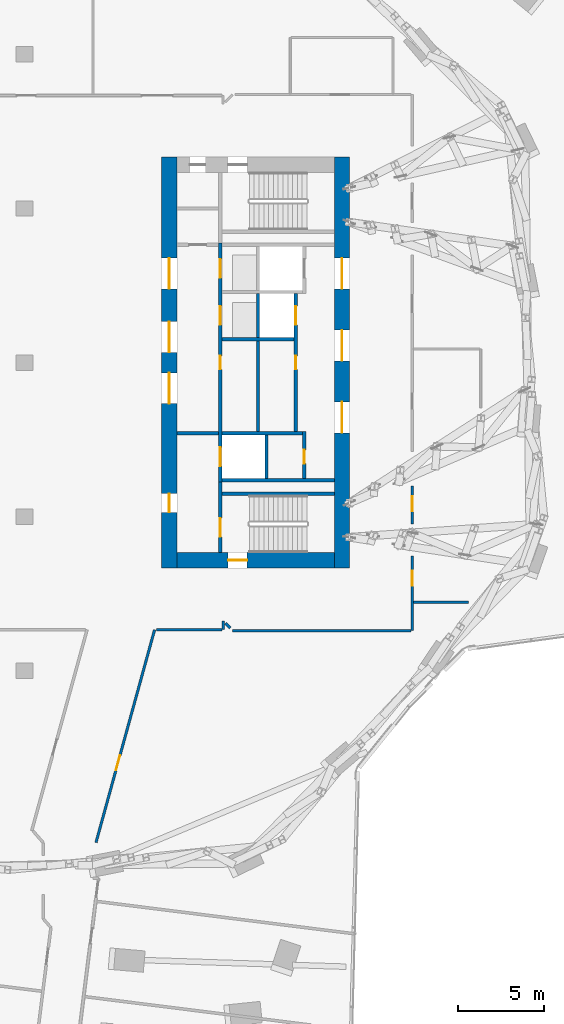
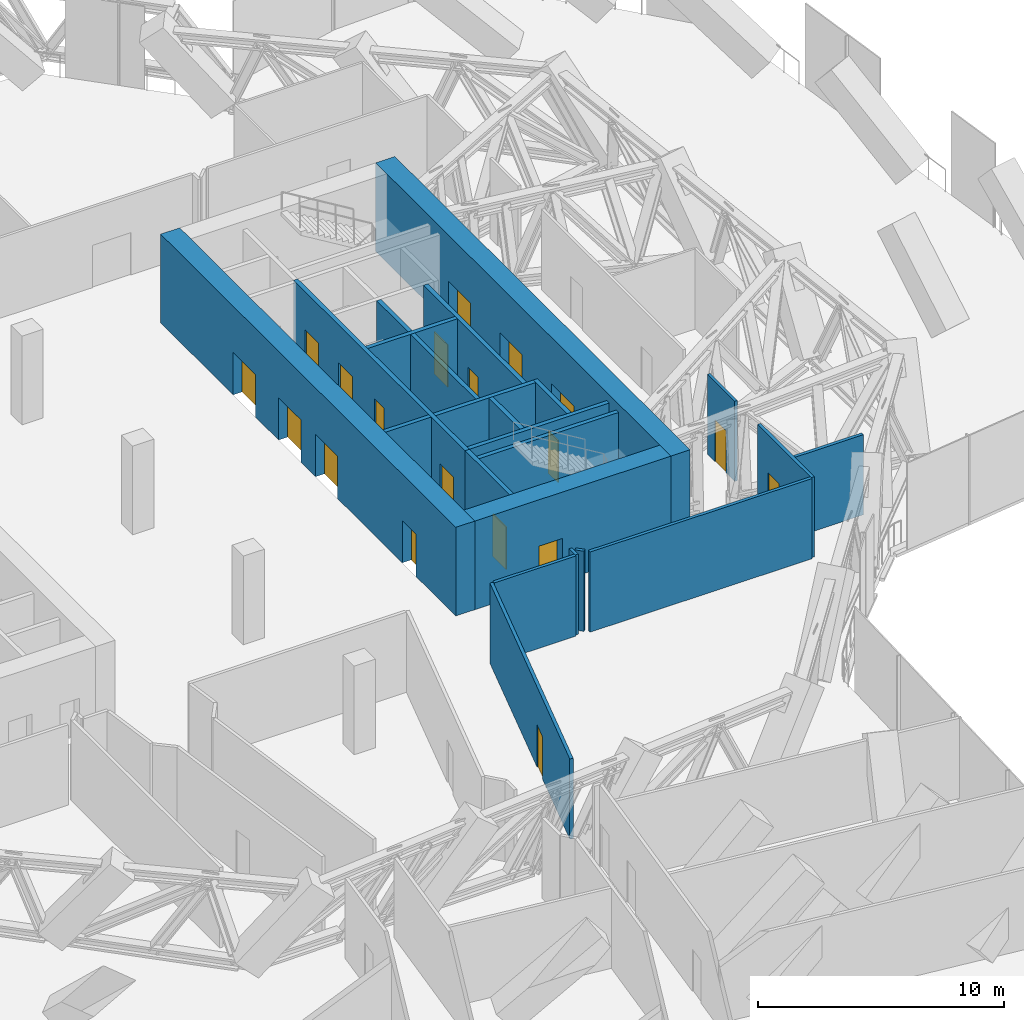
# One storey, part 20 of 27: 23 walls, 19 doors, 19 openings.
"""IFC4 building model written with IfcOpenShell, lengths in metres."""

from ifc_helpers import new_model, si_unit, direction, frame, frame_2d, origin, place, context, subcontext, project, spatial, rectangle, extrude, material, layer, layer_set, type_object, element, fill, save


model = new_model("IFC4")

# Units and contexts
model_context = context("Model", 3, precision=1e-05, world=origin(), true_north=direction((0.0, 1.0)))
body_context = subcontext(model_context, "Body", "Model", "MODEL_VIEW")
ifc_project = project(units=[si_unit("LENGTHUNIT", "METRE"), si_unit("AREAUNIT", "SQUARE_METRE"), si_unit("VOLUMEUNIT", "CUBIC_METRE"), si_unit("PLANEANGLEUNIT", "RADIAN"), si_unit("MASSUNIT", "GRAM", prefix="KILO")], contexts=[model_context])

# Site, building, storey
site_placement = place(None, origin())
site = spatial("IfcSite", under=ifc_project, at=site_placement, CompositionType="ELEMENT")
building_placement = place(site_placement, origin())
building = spatial("IfcBuilding", under=site, at=building_placement, Name="Orlundy Tower", CompositionType="ELEMENT")
storey_placement = place(building_placement, frame((0.0, 0.0, 206.10009765625)))
storey = spatial("IfcBuildingStorey", under=building, at=storey_placement, Name="L54", CompositionType="ELEMENT", Elevation=206.10009765625)

# Wall, opening, door
ifc_material_1 = material(Name="Concrete C70/85", Category="concrete")
ifc_layer_1 = layer(ifc_material_1, 0.89990234375)
ifc_layer_set_1 = layer_set([ifc_layer_1], Name="CORE WALL 900 C70/85")
wall_type_1 = type_object("IfcWallType", Name="CORE WALL 900 C70/85", PredefinedType="SHEAR", material=ifc_layer_set_1)
wall_1_placement = place(storey_placement, frame((8.89990234375, -11.550048828125, 0.0), z_axis=(0.0, 0.0, 1.0), x_axis=(1.0, 0.0, 0.0)))
wall_1 = element("IfcWall", 1, at=wall_1_placement, inside=storey, type_object=wall_type_1, Name="Core wall E-S L54", PredefinedType="SHEAR", context=body_context, shape_type="SweptSolid", body=[
    extrude(rectangle(XDim=9.2001953125, YDim=0.89990234375, at=frame_2d((4.60009765625, 0.0))), origin(), (0.0, 0.0, 1.0), 4.39990234375),
])
opening_1_placement = place(wall_1_placement, frame((3.0, 0.0, 0.0)))
opening_1 = element("IfcOpeningElement", 2, at=opening_1_placement, cuts=wall_1, Name="Opening 41065", PredefinedType="OPENING", context=body_context, shape_type="SweptSolid", body=[
    extrude(rectangle(XDim=1.10009765625, YDim=2.10009765625, at=frame_2d((0.550048828125, 1.050048828125))), frame((0.0, 0.4599609375, 0.0), z_axis=(0.0, -1.0, 0.0), x_axis=(1.0, 0.0, 0.0)), (0.0, 0.0, 1.0), 0.919921875),
])
ifc_material_2 = material(Name="Steel door set", Category="steel")
door_type_1 = type_object("IfcDoorType", Name="Stair Door 1100x2100", OperationType="SINGLE_SWING_LEFT", PredefinedType="DOOR", material=ifc_material_2)
door_1_placement = place(opening_1_placement, origin())
door_1 = element("IfcDoor", 3, at=door_1_placement, inside=storey, type_object=door_type_1, Name="Stair door 41065", OperationType="SINGLE_SWING_LEFT", OverallHeight=2.10009765625, OverallWidth=1.10009765625, PredefinedType="DOOR", context=body_context, shape_type="SweptSolid", body=[
    extrude(rectangle(XDim=1.10009765625, YDim=2.10009765625, at=frame_2d((0.550048828125, 1.050048828125))), frame((0.0, 0.02490234375, 0.0), z_axis=(0.0, -1.0, 0.0), x_axis=(1.0, 0.0, 0.0)), (0.0, 0.0, 1.0), 0.050048828125),
])
fill(opening_1, door_1)

# Wall, openings, doors
wall_2_placement = place(storey_placement, frame((8.449951171875, -12.0, 0.0), z_axis=(0.0, 0.0, 1.0), x_axis=(0.0, 1.0, 0.0)))
wall_2 = element("IfcWall", 4, at=wall_2_placement, inside=storey, type_object=wall_type_1, Name="Core wall E-W L54", PredefinedType="SHEAR", context=body_context, shape_type="SweptSolid", body=[
    extrude(rectangle(XDim=24.0, YDim=0.89990234375, at=frame_2d((12.0, 0.0))), origin(), (0.0, 0.0, 1.0), 4.39990234375),
])
opening_2_placement = place(wall_2_placement, frame((12.60009765625, 0.0, 0.0)))
opening_2 = element("IfcOpeningElement", 5, at=opening_2_placement, cuts=wall_2, Name="Opening 41058", PredefinedType="OPENING", context=body_context, shape_type="SweptSolid", body=[
    extrude(rectangle(XDim=1.800048828125, YDim=2.10009765625, at=frame_2d((0.89990234375, 1.050048828125))), frame((0.0, 0.4599609375, 0.0), z_axis=(0.0, -1.0, 0.0), x_axis=(1.0, 0.0, 0.0)), (0.0, 0.0, 1.0), 0.919921875),
])
opening_3_placement = place(wall_2_placement, frame((16.300048828125, 0.0, 0.0)))
opening_3 = element("IfcOpeningElement", 6, at=opening_3_placement, cuts=wall_2, Name="Opening 41062", PredefinedType="OPENING", context=body_context, shape_type="SweptSolid", body=[
    extrude(rectangle(XDim=1.800048828125, YDim=2.10009765625, at=frame_2d((0.89990234375, 1.050048828125))), frame((0.0, 0.4599609375, 0.0), z_axis=(0.0, -1.0, 0.0), x_axis=(1.0, 0.0, 0.0)), (0.0, 0.0, 1.0), 0.919921875),
])
opening_4_placement = place(wall_2_placement, frame((9.60009765625, 0.0, 0.0)))
opening_4 = element("IfcOpeningElement", 7, at=opening_4_placement, cuts=wall_2, Name="Opening 41063", PredefinedType="OPENING", context=body_context, shape_type="SweptSolid", body=[
    extrude(rectangle(XDim=1.800048828125, YDim=2.10009765625, at=frame_2d((0.89990234375, 1.050048828125))), frame((0.0, 0.4599609375, 0.0), z_axis=(0.0, -1.0, 0.0), x_axis=(1.0, 0.0, 0.0)), (0.0, 0.0, 1.0), 0.919921875),
])
opening_5_placement = place(wall_2_placement, frame((3.25, 0.0, 0.0)))
opening_5 = element("IfcOpeningElement", 8, at=opening_5_placement, cuts=wall_2, Name="Opening 41064", PredefinedType="OPENING", context=body_context, shape_type="SweptSolid", body=[
    extrude(rectangle(XDim=1.10009765625, YDim=2.10009765625, at=frame_2d((0.550048828125, 1.050048828125))), frame((0.0, 0.4599609375, 0.0), z_axis=(0.0, -1.0, 0.0), x_axis=(1.0, 0.0, 0.0)), (0.0, 0.0, 1.0), 0.919921875),
])
ifc_material_3 = material(Name="Steel door set", Category="steel")
door_type_2 = type_object("IfcDoorType", Name="Fire-fighting Lobby Door 1100x2100", OperationType="SINGLE_SWING_LEFT", PredefinedType="DOOR", material=ifc_material_3)
door_2_placement = place(opening_5_placement, origin())
door_2 = element("IfcDoor", 9, at=door_2_placement, inside=storey, type_object=door_type_2, Name="Fire-fighting lobby door 41064", OperationType="SINGLE_SWING_LEFT", OverallHeight=2.10009765625, OverallWidth=1.10009765625, PredefinedType="DOOR", context=body_context, shape_type="SweptSolid", body=[
    extrude(rectangle(XDim=1.10009765625, YDim=2.10009765625, at=frame_2d((0.550048828125, 1.050048828125))), frame((0.0, 0.02490234375, 0.0), z_axis=(0.0, -1.0, 0.0), x_axis=(1.0, 0.0, 0.0)), (0.0, 0.0, 1.0), 0.050048828125),
])
fill(opening_5, door_2)
ifc_material_4 = material(Name="Timber door set", Category="wood")
door_type_3 = type_object("IfcDoorType", Name="Lobby Door 1800x2100", OperationType="DOUBLE_DOOR_DOUBLE_SWING", PredefinedType="DOOR", material=ifc_material_4)
door_3_placement = place(opening_2_placement, origin())
door_3 = element("IfcDoor", 10, at=door_3_placement, inside=storey, type_object=door_type_3, Name="Lift lobby door 41058", OperationType="SINGLE_SWING_RIGHT", OverallHeight=2.10009765625, OverallWidth=1.800048828125, PredefinedType="DOOR", context=body_context, shape_type="SweptSolid", body=[
    extrude(rectangle(XDim=1.800048828125, YDim=2.10009765625, at=frame_2d((0.89990234375, 1.050048828125))), frame((0.0, 0.02490234375, 0.0), z_axis=(0.0, -1.0, 0.0), x_axis=(1.0, 0.0, 0.0)), (0.0, 0.0, 1.0), 0.050048828125),
])
fill(opening_2, door_3)
door_4_placement = place(opening_3_placement, origin())
door_4 = element("IfcDoor", 11, at=door_4_placement, inside=storey, type_object=door_type_3, Name="Lift lobby door 41062", OperationType="SINGLE_SWING_RIGHT", OverallHeight=2.10009765625, OverallWidth=1.800048828125, PredefinedType="DOOR", context=body_context, shape_type="SweptSolid", body=[
    extrude(rectangle(XDim=1.800048828125, YDim=2.10009765625, at=frame_2d((0.89990234375, 1.050048828125))), frame((0.0, 0.02490234375, 0.0), z_axis=(0.0, -1.0, 0.0), x_axis=(1.0, 0.0, 0.0)), (0.0, 0.0, 1.0), 0.050048828125),
])
fill(opening_3, door_4)
door_5_placement = place(opening_4_placement, origin())
door_5 = element("IfcDoor", 12, at=door_5_placement, inside=storey, type_object=door_type_3, Name="Lift lobby door 41063", OperationType="SINGLE_SWING_LEFT", OverallHeight=2.10009765625, OverallWidth=1.800048828125, PredefinedType="DOOR", context=body_context, shape_type="SweptSolid", body=[
    extrude(rectangle(XDim=1.800048828125, YDim=2.10009765625, at=frame_2d((0.89990234375, 1.050048828125))), frame((0.0, 0.02490234375, 0.0), z_axis=(0.0, -1.0, 0.0), x_axis=(1.0, 0.0, 0.0)), (0.0, 0.0, 1.0), 0.050048828125),
])
fill(opening_4, door_5)

wall_3_placement = place(storey_placement, frame((18.550048828125, -12.0, 0.0), z_axis=(0.0, 0.0, 1.0), x_axis=(0.0, 1.0, 0.0)))
wall_3 = element("IfcWall", 13, at=wall_3_placement, inside=storey, type_object=wall_type_1, Name="Core wall E-E L54", PredefinedType="SHEAR", context=body_context, shape_type="SweptSolid", body=[
    extrude(rectangle(XDim=24.0, YDim=0.89990234375, at=frame_2d((12.0, 0.0))), origin(), (0.0, 0.0, 1.0), 4.39990234375),
])
opening_6_placement = place(wall_3_placement, frame((16.300048828125, 0.0, 0.0)))
opening_6 = element("IfcOpeningElement", 14, at=opening_6_placement, cuts=wall_3, Name="Opening 41059", PredefinedType="OPENING", context=body_context, shape_type="SweptSolid", body=[
    extrude(rectangle(XDim=1.800048828125, YDim=2.10009765625, at=frame_2d((0.89990234375, 1.050048828125))), frame((0.0, 0.4599609375, 0.0), z_axis=(0.0, -1.0, 0.0), x_axis=(1.0, 0.0, 0.0)), (0.0, 0.0, 1.0), 0.919921875),
])
opening_7_placement = place(wall_3_placement, frame((12.10009765625, 0.0, 0.0)))
opening_7 = element("IfcOpeningElement", 15, at=opening_7_placement, cuts=wall_3, Name="Opening 41060", PredefinedType="OPENING", context=body_context, shape_type="SweptSolid", body=[
    extrude(rectangle(XDim=1.800048828125, YDim=2.10009765625, at=frame_2d((0.89990234375, 1.050048828125))), frame((0.0, 0.4599609375, 0.0), z_axis=(0.0, -1.0, 0.0), x_axis=(1.0, 0.0, 0.0)), (0.0, 0.0, 1.0), 0.919921875),
])
opening_8_placement = place(wall_3_placement, frame((7.89990234375, 0.0, 0.0)))
opening_8 = element("IfcOpeningElement", 16, at=opening_8_placement, cuts=wall_3, Name="Opening 41061", PredefinedType="OPENING", context=body_context, shape_type="SweptSolid", body=[
    extrude(rectangle(XDim=1.800048828125, YDim=2.10009765625, at=frame_2d((0.89990234375, 1.050048828125))), frame((0.0, 0.4599609375, 0.0), z_axis=(0.0, -1.0, 0.0), x_axis=(1.0, 0.0, 0.0)), (0.0, 0.0, 1.0), 0.919921875),
])
door_6_placement = place(opening_6_placement, origin())
door_6 = element("IfcDoor", 17, at=door_6_placement, inside=storey, type_object=door_type_3, Name="Lift lobby door 41059", OperationType="SINGLE_SWING_RIGHT", OverallHeight=2.10009765625, OverallWidth=1.800048828125, PredefinedType="DOOR", context=body_context, shape_type="SweptSolid", body=[
    extrude(rectangle(XDim=1.800048828125, YDim=2.10009765625, at=frame_2d((0.89990234375, 1.050048828125))), frame((0.0, 0.02490234375, 0.0), z_axis=(0.0, -1.0, 0.0), x_axis=(1.0, 0.0, 0.0)), (0.0, 0.0, 1.0), 0.050048828125),
])
fill(opening_6, door_6)
door_7_placement = place(opening_7_placement, origin())
door_7 = element("IfcDoor", 18, at=door_7_placement, inside=storey, type_object=door_type_3, Name="Lift lobby door 41060", OperationType="SINGLE_SWING_RIGHT", OverallHeight=2.10009765625, OverallWidth=1.800048828125, PredefinedType="DOOR", context=body_context, shape_type="SweptSolid", body=[
    extrude(rectangle(XDim=1.800048828125, YDim=2.10009765625, at=frame_2d((0.89990234375, 1.050048828125))), frame((0.0, 0.02490234375, 0.0), z_axis=(0.0, -1.0, 0.0), x_axis=(1.0, 0.0, 0.0)), (0.0, 0.0, 1.0), 0.050048828125),
])
fill(opening_7, door_7)
door_8_placement = place(opening_8_placement, origin())
door_8 = element("IfcDoor", 19, at=door_8_placement, inside=storey, type_object=door_type_3, Name="Lift lobby door 41061", OperationType="SINGLE_SWING_LEFT", OverallHeight=2.10009765625, OverallWidth=1.800048828125, PredefinedType="DOOR", context=body_context, shape_type="SweptSolid", body=[
    extrude(rectangle(XDim=1.800048828125, YDim=2.10009765625, at=frame_2d((0.89990234375, 1.050048828125))), frame((0.0, 0.02490234375, 0.0), z_axis=(0.0, -1.0, 0.0), x_axis=(1.0, 0.0, 0.0)), (0.0, 0.0, 1.0), 0.050048828125),
])
fill(opening_8, door_8)

# Wall, opening, door
ifc_material_5 = material(Name="Gypsum board partition, double layer")
ifc_layer_2 = layer(ifc_material_5, 0.125)
ifc_layer_set_2 = layer_set([ifc_layer_2], Name="Floor partition 125")
wall_type_2 = type_object("IfcWallType", Name="Floor partition 125", PredefinedType="PARTITIONING", material=ifc_layer_set_2)
wall_4_placement = place(storey_placement, frame((22.65087890625, -7.194091796875, 0.0), z_axis=(0.0, 0.0, 1.0), x_axis=(0.0, -1.0, 0.0)))
wall_4 = element("IfcWall", 20, at=wall_4_placement, inside=storey, type_object=wall_type_2, Name="wall-int-L54-051", PredefinedType="PARTITIONING", context=body_context, shape_type="SweptSolid", body=[
    extrude(rectangle(XDim=2.219970703125, YDim=0.125, at=frame_2d((1.10986328125, 0.0))), origin(), (0.0, 0.0, 1.0), 3.97998046875),
])
opening_9_placement = place(wall_4_placement, frame((0.60009765625, 0.0, 0.0)))
opening_9 = element("IfcOpeningElement", 21, at=opening_9_placement, cuts=wall_4, Name="Opening 41119", PredefinedType="OPENING", context=body_context, shape_type="SweptSolid", body=[
    extrude(rectangle(XDim=0.89990234375, YDim=2.10009765625, at=frame_2d((0.449951171875, 1.050048828125))), frame((0.0, 0.072509765625, 0.0), z_axis=(0.0, -1.0, 0.0), x_axis=(1.0, 0.0, 0.0)), (0.0, 0.0, 1.0), 0.14501953125),
])
ifc_material_6 = material(Name="Timber door leaf", Category="wood")
door_type_4 = type_object("IfcDoorType", Name="Floor door single 900 FD30S", OperationType="NOTDEFINED", PredefinedType="DOOR", material=ifc_material_6)
door_9_placement = place(opening_9_placement, origin())
door_9 = element("IfcDoor", 22, at=door_9_placement, inside=storey, type_object=door_type_4, Name="Door 41119", OperationType="SINGLE_SWING_LEFT", OverallHeight=2.10009765625, OverallWidth=0.89990234375, PredefinedType="DOOR", context=body_context, shape_type="SweptSolid", body=[
    extrude(rectangle(XDim=0.89990234375, YDim=2.10009765625, at=frame_2d((0.449951171875, 1.050048828125))), frame((0.0, 0.02490234375, 0.0), z_axis=(0.0, -1.0, 0.0), x_axis=(1.0, 0.0, 0.0)), (0.0, 0.0, 1.0), 0.050048828125),
])
fill(opening_9, door_9)

# Walls
ifc_material_7 = material(Name="Blockwork shaft wall", Category="masonry")
ifc_layer_3 = layer(ifc_material_7, 0.14990234375)
ifc_layer_set_3 = layer_set([ifc_layer_3], Name="Floor shaft wall 150")
wall_type_3 = type_object("IfcWallType", Name="Floor shaft wall 150", PredefinedType="PARTITIONING", material=ifc_layer_set_3)
wall_5_placement = place(storey_placement, frame((11.75, -15.22802734375, 0.0), z_axis=(0.0, 0.0, 1.0), x_axis=(0.707106781187, -0.707106781187, 0.0)))
element("IfcWall", 23, at=wall_5_placement, inside=storey, type_object=wall_type_3, Name="wall-int-L54-006", PredefinedType="PARTITIONING", context=body_context, shape_type="SweptSolid", body=[
    extrude(rectangle(XDim=0.388671875, YDim=0.14990234375, at=frame_2d((0.1943359375, 0.0))), origin(), (0.0, 0.0, 1.0), 3.97998046875),
])
wall_6_placement = place(storey_placement, frame((12.159912109375, -15.65087890625, 0.0), z_axis=(0.0, 0.0, 1.0), x_axis=(1.0, 0.0, 0.0)))
element("IfcWall", 24, at=wall_6_placement, inside=storey, type_object=wall_type_3, Name="wall-int-L54-024", PredefinedType="PARTITIONING", context=body_context, shape_type="SweptSolid", body=[
    extrude(rectangle(XDim=10.4150390625, YDim=0.14990234375, at=frame_2d((5.20751953125, 0.0))), origin(), (0.0, 0.0, 1.0), 3.97998046875),
])
wall_7_placement = place(storey_placement, frame((7.700927734375, -15.60009765625, 0.0), z_axis=(0.0, 0.0, 1.0), x_axis=(1.0, 0.0, 0.0)))
element("IfcWall", 25, at=wall_7_placement, inside=storey, type_object=wall_type_3, Name="wall-int-L54-027", PredefinedType="PARTITIONING", context=body_context, shape_type="SweptSolid", body=[
    extrude(rectangle(XDim=3.824951171875, YDim=0.14990234375, at=frame_2d((1.91259765625, 0.0))), origin(), (0.0, 0.0, 1.0), 3.97998046875),
])
wall_8_placement = place(storey_placement, frame((22.72607421875, -14.0, 0.0), z_axis=(0.0, 0.0, 1.0), x_axis=(1.0, 0.0, 0.0)))
element("IfcWall", 26, at=wall_8_placement, inside=storey, type_object=wall_type_3, Name="wall-int-L54-028", PredefinedType="PARTITIONING", context=body_context, shape_type="SweptSolid", body=[
    extrude(rectangle(XDim=3.2119140625, YDim=0.14990234375, at=frame_2d((1.60595703125, 0.0))), origin(), (0.0, 0.0, 1.0), 3.97998046875),
])

# Wall, opening, door
wall_9_placement = place(storey_placement, frame((7.60302734375, -15.60302734375, 0.0), z_axis=(0.0, 0.0, 1.0), x_axis=(-0.265604225534, -0.964082151779, 0.0)))
wall_9 = element("IfcWall", 27, at=wall_9_placement, inside=storey, type_object=wall_type_3, Name="wall-int-L54-038", PredefinedType="PARTITIONING", context=body_context, shape_type="SweptSolid", body=[
    extrude(rectangle(XDim=12.887939453125, YDim=0.14990234375, at=frame_2d((6.44384765625, 0.0))), origin(), (0.0, 0.0, 1.0), 3.97998046875),
])
opening_10_placement = place(wall_9_placement, frame((7.606689453125, 0.0, 0.0)))
opening_10 = element("IfcOpeningElement", 28, at=opening_10_placement, cuts=wall_9, Name="Opening 41117", PredefinedType="OPENING", context=body_context, shape_type="SweptSolid", body=[
    extrude(rectangle(XDim=0.89990234375, YDim=2.10009765625, at=frame_2d((0.449951171875, 1.050048828125))), frame((0.0, 0.0849609375, 0.0), z_axis=(0.0, -1.0, 0.0), x_axis=(1.0, 0.0, 0.0)), (0.0, 0.0, 1.0), 0.169921875),
])
ifc_material_8 = material(Name="Timber door leaf", Category="wood")
door_type_5 = type_object("IfcDoorType", Name="Floor door single 900 FD60", OperationType="NOTDEFINED", PredefinedType="DOOR", material=ifc_material_8)
door_10_placement = place(opening_10_placement, origin())
door_10 = element("IfcDoor", 29, at=door_10_placement, inside=storey, type_object=door_type_5, Name="Door 41117", OperationType="SINGLE_SWING_RIGHT", OverallHeight=2.10009765625, OverallWidth=0.89990234375, PredefinedType="DOOR", context=body_context, shape_type="SweptSolid", body=[
    extrude(rectangle(XDim=0.89990234375, YDim=2.10009765625, at=frame_2d((0.449951171875, 1.050048828125))), frame((0.0, 0.02490234375, 0.0), z_axis=(0.0, -1.0, 0.0), x_axis=(1.0, 0.0, 0.0)), (0.0, 0.0, 1.0), 0.050048828125),
])
fill(opening_10, door_10)

wall_10_placement = place(storey_placement, frame((22.65087890625, -11.2939453125, 0.0), z_axis=(0.0, 0.0, 1.0), x_axis=(0.0, -1.0, 0.0)))
wall_10 = element("IfcWall", 30, at=wall_10_placement, inside=storey, type_object=wall_type_3, Name="wall-int-L54-050", PredefinedType="PARTITIONING", context=body_context, shape_type="SweptSolid", body=[
    extrude(rectangle(XDim=4.35595703125, YDim=0.14990234375, at=frame_2d((2.177978515625, 0.0))), origin(), (0.0, 0.0, 1.0), 3.97998046875),
])
opening_11_placement = place(wall_10_placement, frame((0.85009765625, 0.0, 0.0)))
opening_11 = element("IfcOpeningElement", 31, at=opening_11_placement, cuts=wall_10, Name="Opening 41118", PredefinedType="OPENING", context=body_context, shape_type="SweptSolid", body=[
    extrude(rectangle(XDim=0.89990234375, YDim=2.10009765625, at=frame_2d((0.449951171875, 1.050048828125))), frame((0.0, 0.0849609375, 0.0), z_axis=(0.0, -1.0, 0.0), x_axis=(1.0, 0.0, 0.0)), (0.0, 0.0, 1.0), 0.169921875),
])
door_11_placement = place(opening_11_placement, origin())
door_11 = element("IfcDoor", 32, at=door_11_placement, inside=storey, type_object=door_type_5, Name="Door 41118", OperationType="SINGLE_SWING_LEFT", OverallHeight=2.10009765625, OverallWidth=0.89990234375, PredefinedType="DOOR", context=body_context, shape_type="SweptSolid", body=[
    extrude(rectangle(XDim=0.89990234375, YDim=2.10009765625, at=frame_2d((0.449951171875, 1.050048828125))), frame((0.0, 0.02490234375, 0.0), z_axis=(0.0, -1.0, 0.0), x_axis=(1.0, 0.0, 0.0)), (0.0, 0.0, 1.0), 0.050048828125),
])
fill(opening_11, door_11)

# Wall
wall_11_placement = place(storey_placement, frame((11.60107421875, -15.60009765625, 0.0), z_axis=(0.0, 0.0, 1.0), x_axis=(0.0, 1.0, 0.0)))
element("IfcWall", 33, at=wall_11_placement, inside=storey, type_object=wall_type_3, Name="wall-int-L54-057", PredefinedType="PARTITIONING", context=body_context, shape_type="SweptSolid", body=[
    extrude(rectangle(XDim=0.508056640625, YDim=0.14990234375, at=frame_2d((0.25390625, 0.0))), origin(), (0.0, 0.0, 1.0), 3.97998046875),
])

# Wall, opening, door
ifc_material_9 = material(Name="Concrete C40/50", Category="concrete")
ifc_layer_4 = layer(ifc_material_9, 0.199951171875)
ifc_layer_set_4 = layer_set([ifc_layer_4], Name="Load-bearing Shaft Wall 200")
wall_type_4 = type_object("IfcWallType", Name="Load-bearing Shaft Wall 200", PredefinedType="SOLIDWALL", material=ifc_layer_set_4)
wall_12_placement = place(storey_placement, frame((11.43994140625, -6.97509765625, 0.0), z_axis=(0.0, 0.0, 1.0), x_axis=(0.0, -1.0, 0.0)))
wall_12 = element("IfcWall", 34, at=wall_12_placement, inside=storey, type_object=wall_type_4, Name="Shaft wall E41-stair-end-n", PredefinedType="SOLIDWALL", context=body_context, shape_type="SweptSolid", body=[
    extrude(rectangle(XDim=4.125, YDim=0.199951171875, at=frame_2d((2.0625, 0.0))), origin(), (0.0, 0.0, 1.0), 3.989990234375),
])
opening_12_placement = place(wall_12_placement, frame((2.10009765625, 0.0, 0.0)))
opening_12 = element("IfcOpeningElement", 35, at=opening_12_placement, cuts=wall_12, Name="Opening 41067", PredefinedType="OPENING", context=body_context, shape_type="SweptSolid", body=[
    extrude(rectangle(XDim=1.10009765625, YDim=2.10009765625, at=frame_2d((0.550048828125, 1.050048828125))), frame((0.0, 0.110107421875, 0.0), z_axis=(0.0, -1.0, 0.0), x_axis=(1.0, 0.0, 0.0)), (0.0, 0.0, 1.0), 0.22021484375),
])
door_12_placement = place(opening_12_placement, origin())
door_12 = element("IfcDoor", 36, at=door_12_placement, inside=storey, type_object=door_type_2, Name="Fire-fighting lobby to stair door 41067", OperationType="SINGLE_SWING_RIGHT", OverallHeight=2.10009765625, OverallWidth=1.10009765625, PredefinedType="DOOR", context=body_context, shape_type="SweptSolid", body=[
    extrude(rectangle(XDim=1.10009765625, YDim=2.10009765625, at=frame_2d((0.550048828125, 1.050048828125))), frame((0.0, 0.02490234375, 0.0), z_axis=(0.0, -1.0, 0.0), x_axis=(1.0, 0.0, 0.0)), (0.0, 0.0, 1.0), 0.050048828125),
])
fill(opening_12, door_12)

# Walls
wall_13_placement = place(storey_placement, frame((11.5400390625, -7.64990234375, 0.0), z_axis=(0.0, 0.0, 1.0), x_axis=(1.0, 0.0, 0.0)))
element("IfcWall", 37, at=wall_13_placement, inside=storey, type_object=wall_type_4, Name="Shaft wall E41-stair-side-n", PredefinedType="SOLIDWALL", context=body_context, shape_type="SweptSolid", body=[
    extrude(rectangle(XDim=6.56005859375, YDim=0.199951171875, at=frame_2d((3.280029296875, 0.0))), origin(), (0.0, 0.0, 1.0), 3.989990234375),
])
ifc_material_10 = material(Name="Gypsum board partition on steel studs", Category="steel")
ifc_layer_5 = layer(ifc_material_10, 0.199951171875)
ifc_layer_set_5 = layer_set([ifc_layer_5], Name="Partition 200")
wall_type_5 = type_object("IfcWallType", Name="Partition 200", PredefinedType="PARTITIONING", material=ifc_layer_set_5)
wall_14_placement = place(storey_placement, frame((8.89990234375, -4.125, 0.0), z_axis=(0.0, 0.0, 1.0), x_axis=(1.0, 0.0, 0.0)))
element("IfcWall", 38, at=wall_14_placement, inside=storey, type_object=wall_type_5, Name="Partition wall E41-lobby-n", PredefinedType="PARTITIONING", context=body_context, shape_type="SweptSolid", body=[
    extrude(rectangle(XDim=2.440185546875, YDim=0.199951171875, at=frame_2d((1.22021484375, 0.0))), origin(), (0.0, 0.0, 1.0), 3.989990234375),
])
ifc_material_11 = material(Name="Fire-rated blockwork shaft wall", Category="masonry")
ifc_layer_6 = layer(ifc_material_11, 0.199951171875)
ifc_layer_set_6 = layer_set([ifc_layer_6], Name="Shaft Wall 200")
wall_type_6 = type_object("IfcWallType", Name="Shaft Wall 200", PredefinedType="SOLIDWALL", material=ifc_layer_set_6)
wall_15_placement = place(storey_placement, frame((11.5400390625, -6.875, 0.0), z_axis=(0.0, 0.0, 1.0), x_axis=(1.0, 0.0, 0.0)))
element("IfcWall", 39, at=wall_15_placement, inside=storey, type_object=wall_type_6, Name="Shaft wall E41-zone-n", PredefinedType="SOLIDWALL", context=body_context, shape_type="SweptSolid", body=[
    extrude(rectangle(XDim=6.56005859375, YDim=0.199951171875, at=frame_2d((3.280029296875, 0.0))), origin(), (0.0, 0.0, 1.0), 3.989990234375),
])
wall_16_placement = place(storey_placement, frame((11.5400390625, 1.375, 0.0), z_axis=(0.0, 0.0, 1.0), x_axis=(1.0, 0.0, 0.0)))
element("IfcWall", 40, at=wall_16_placement, inside=storey, type_object=wall_type_6, Name="Shaft wall E41-cross-1.375", PredefinedType="SOLIDWALL", context=body_context, shape_type="SweptSolid", body=[
    extrude(rectangle(XDim=4.199951171875, YDim=0.199951171875, at=frame_2d((2.10009765625, 0.0))), origin(), (0.0, 0.0, 1.0), 3.989990234375),
])
wall_17_placement = place(storey_placement, frame((11.5400390625, -4.125, 0.0), z_axis=(0.0, 0.0, 1.0), x_axis=(1.0, 0.0, 0.0)))
element("IfcWall", 41, at=wall_17_placement, inside=storey, type_object=wall_type_6, Name="Shaft wall E41-cross+4.125", PredefinedType="SOLIDWALL", context=body_context, shape_type="SweptSolid", body=[
    extrude(rectangle(XDim=4.699951171875, YDim=0.199951171875, at=frame_2d((2.35009765625, 0.0))), origin(), (0.0, 0.0, 1.0), 3.989990234375),
])

# Wall, openings, doors
wall_18_placement = place(storey_placement, frame((11.43994140625, 6.97509765625, 0.0), z_axis=(0.0, 0.0, 1.0), x_axis=(0.0, -1.0, 0.0)))
wall_18 = element("IfcWall", 42, at=wall_18_placement, inside=storey, type_object=wall_type_6, Name="Shaft wall E41-front-h", PredefinedType="SOLIDWALL", context=body_context, shape_type="SweptSolid", body=[
    extrude(rectangle(XDim=13.9501953125, YDim=0.199951171875, at=frame_2d((6.97509765625, 0.0))), origin(), (0.0, 0.0, 1.0), 3.989990234375),
])
opening_13_placement = place(wall_18_placement, frame((0.925048828125, 0.0, 0.0)))
opening_13 = element("IfcOpeningElement", 43, at=opening_13_placement, cuts=wall_18, Name="Opening 41050", PredefinedType="OPENING", context=body_context, shape_type="SweptSolid", body=[
    extrude(rectangle(XDim=1.10009765625, YDim=2.10009765625, at=frame_2d((0.550048828125, 1.050048828125))), frame((0.0, 0.110107421875, 0.0), z_axis=(0.0, -1.0, 0.0), x_axis=(1.0, 0.0, 0.0)), (0.0, 0.0, 1.0), 0.22021484375),
])
opening_14_placement = place(wall_18_placement, frame((3.675048828125, 0.0, 0.0)))
opening_14 = element("IfcOpeningElement", 44, at=opening_14_placement, cuts=wall_18, Name="Opening 41052", PredefinedType="OPENING", context=body_context, shape_type="SweptSolid", body=[
    extrude(rectangle(XDim=1.10009765625, YDim=2.10009765625, at=frame_2d((0.550048828125, 1.050048828125))), frame((0.0, 0.110107421875, 0.0), z_axis=(0.0, -1.0, 0.0), x_axis=(1.0, 0.0, 0.0)), (0.0, 0.0, 1.0), 0.22021484375),
])
opening_15_placement = place(wall_18_placement, frame((11.925048828125, 0.0, 0.0)))
opening_15 = element("IfcOpeningElement", 45, at=opening_15_placement, cuts=wall_18, Name="Opening 41054", PredefinedType="OPENING", context=body_context, shape_type="SweptSolid", body=[
    extrude(rectangle(XDim=1.10009765625, YDim=2.10009765625, at=frame_2d((0.550048828125, 1.050048828125))), frame((0.0, 0.110107421875, 0.0), z_axis=(0.0, -1.0, 0.0), x_axis=(1.0, 0.0, 0.0)), (0.0, 0.0, 1.0), 0.22021484375),
])
opening_16_placement = place(wall_18_placement, frame((6.574951171875, 0.0, 0.0)))
opening_16 = element("IfcOpeningElement", 46, at=opening_16_placement, cuts=wall_18, Name="Opening 41055", PredefinedType="OPENING", context=body_context, shape_type="SweptSolid", body=[
    extrude(rectangle(XDim=0.800048828125, YDim=2.10009765625, at=frame_2d((0.39990234375, 1.050048828125))), frame((0.0, 0.110107421875, 0.0), z_axis=(0.0, -1.0, 0.0), x_axis=(1.0, 0.0, 0.0)), (0.0, 0.0, 1.0), 0.22021484375),
])
ifc_material_12 = material(Name="Steel door set", Category="steel")
door_type_6 = type_object("IfcDoorType", Name="Landing Door 1100x2100", OperationType="DOUBLE_DOOR_SLIDING", PredefinedType="DOOR", material=ifc_material_12)
door_13_placement = place(opening_13_placement, origin())
door_13 = element("IfcDoor", 47, at=door_13_placement, inside=storey, type_object=door_type_6, Name="Lift landing door LP-24 41050", OperationType="DOUBLE_DOOR_SLIDING", OverallHeight=2.10009765625, OverallWidth=1.10009765625, PredefinedType="DOOR", context=body_context, shape_type="SweptSolid", body=[
    extrude(rectangle(XDim=1.10009765625, YDim=2.10009765625, at=frame_2d((0.550048828125, 1.050048828125))), frame((0.0, 0.02490234375, 0.0), z_axis=(0.0, -1.0, 0.0), x_axis=(1.0, 0.0, 0.0)), (0.0, 0.0, 1.0), 0.050048828125),
])
fill(opening_13, door_13)
door_14_placement = place(opening_14_placement, origin())
door_14 = element("IfcDoor", 48, at=door_14_placement, inside=storey, type_object=door_type_6, Name="Lift landing door LP-23 41052", OperationType="DOUBLE_DOOR_SLIDING", OverallHeight=2.10009765625, OverallWidth=1.10009765625, PredefinedType="DOOR", context=body_context, shape_type="SweptSolid", body=[
    extrude(rectangle(XDim=1.10009765625, YDim=2.10009765625, at=frame_2d((0.550048828125, 1.050048828125))), frame((0.0, 0.02490234375, 0.0), z_axis=(0.0, -1.0, 0.0), x_axis=(1.0, 0.0, 0.0)), (0.0, 0.0, 1.0), 0.050048828125),
])
fill(opening_14, door_14)
door_15_placement = place(opening_15_placement, origin())
door_15 = element("IfcDoor", 49, at=door_15_placement, inside=storey, type_object=door_type_6, Name="Lift landing door FL2 41054", OperationType="DOUBLE_DOOR_SLIDING", OverallHeight=2.10009765625, OverallWidth=1.10009765625, PredefinedType="DOOR", context=body_context, shape_type="SweptSolid", body=[
    extrude(rectangle(XDim=1.10009765625, YDim=2.10009765625, at=frame_2d((0.550048828125, 1.050048828125))), frame((0.0, 0.02490234375, 0.0), z_axis=(0.0, -1.0, 0.0), x_axis=(1.0, 0.0, 0.0)), (0.0, 0.0, 1.0), 0.050048828125),
])
fill(opening_15, door_15)
ifc_material_13 = material(Name="Timber door set", Category="wood")
door_type_7 = type_object("IfcDoorType", Name="Riser Door 800x2100", OperationType="SINGLE_SWING_LEFT", PredefinedType="DOOR", material=ifc_material_13)
door_16_placement = place(opening_16_placement, origin())
door_16 = element("IfcDoor", 50, at=door_16_placement, inside=storey, type_object=door_type_7, Name="Records Store door 41055", OperationType="SINGLE_SWING_LEFT", OverallHeight=2.10009765625, OverallWidth=0.800048828125, PredefinedType="DOOR", context=body_context, shape_type="SweptSolid", body=[
    extrude(rectangle(XDim=0.800048828125, YDim=2.10009765625, at=frame_2d((0.39990234375, 1.050048828125))), frame((0.0, 0.02490234375, 0.0), z_axis=(0.0, -1.0, 0.0), x_axis=(1.0, 0.0, 0.0)), (0.0, 0.0, 1.0), 0.050048828125),
])
fill(opening_16, door_16)

# Walls
wall_19_placement = place(storey_placement, frame((13.639892578125, 4.02490234375, 0.0), z_axis=(0.0, 0.0, 1.0), x_axis=(0.0, -1.0, 0.0)))
element("IfcWall", 51, at=wall_19_placement, inside=storey, type_object=wall_type_6, Name="Shaft wall E41-mid-a.1", PredefinedType="SOLIDWALL", context=body_context, shape_type="SweptSolid", body=[
    extrude(rectangle(XDim=2.5498046875, YDim=0.199951171875, at=frame_2d((1.27490234375, 0.0))), origin(), (0.0, 0.0, 1.0), 3.989990234375),
])
wall_20_placement = place(storey_placement, frame((13.639892578125, 1.27490234375, 0.0), z_axis=(0.0, 0.0, 1.0), x_axis=(0.0, -1.0, 0.0)))
element("IfcWall", 52, at=wall_20_placement, inside=storey, type_object=wall_type_6, Name="Shaft wall E41-mid-a.2", PredefinedType="SOLIDWALL", context=body_context, shape_type="SweptSolid", body=[
    extrude(rectangle(XDim=5.2998046875, YDim=0.199951171875, at=frame_2d((2.64990234375, 0.0))), origin(), (0.0, 0.0, 1.0), 3.989990234375),
])
wall_21_placement = place(storey_placement, frame((14.139892578125, -4.22509765625, 0.0), z_axis=(0.0, 0.0, 1.0), x_axis=(0.0, -1.0, 0.0)))
element("IfcWall", 53, at=wall_21_placement, inside=storey, type_object=wall_type_6, Name="Shaft wall E41-mid-b", PredefinedType="SOLIDWALL", context=body_context, shape_type="SweptSolid", body=[
    extrude(rectangle(XDim=2.5498046875, YDim=0.199951171875, at=frame_2d((1.27490234375, 0.0))), origin(), (0.0, 0.0, 1.0), 3.989990234375),
])

# Wall, openings, doors
wall_22_placement = place(storey_placement, frame((15.840087890625, 4.02490234375, 0.0), z_axis=(0.0, 0.0, 1.0), x_axis=(0.0, -1.0, 0.0)))
wall_22 = element("IfcWall", 54, at=wall_22_placement, inside=storey, type_object=wall_type_6, Name="Shaft wall E41-front-o-b", PredefinedType="SOLIDWALL", context=body_context, shape_type="SweptSolid", body=[
    extrude(rectangle(XDim=8.0498046875, YDim=0.199951171875, at=frame_2d((4.02490234375, 0.0))), origin(), (0.0, 0.0, 1.0), 3.989990234375),
])
opening_17_placement = place(wall_22_placement, frame((0.72509765625, 0.0, 0.0)))
opening_17 = element("IfcOpeningElement", 55, at=opening_17_placement, cuts=wall_22, Name="Opening 41053", PredefinedType="OPENING", context=body_context, shape_type="SweptSolid", body=[
    extrude(rectangle(XDim=1.10009765625, YDim=2.10009765625, at=frame_2d((0.550048828125, 1.050048828125))), frame((0.0, 0.110107421875, 0.0), z_axis=(0.0, -1.0, 0.0), x_axis=(1.0, 0.0, 0.0)), (0.0, 0.0, 1.0), 0.22021484375),
])
opening_18_placement = place(wall_22_placement, frame((3.625, 0.0, 0.0)))
opening_18 = element("IfcOpeningElement", 56, at=opening_18_placement, cuts=wall_22, Name="Opening 41056", PredefinedType="OPENING", context=body_context, shape_type="SweptSolid", body=[
    extrude(rectangle(XDim=0.800048828125, YDim=2.10009765625, at=frame_2d((0.39990234375, 1.050048828125))), frame((0.0, 0.110107421875, 0.0), z_axis=(0.0, -1.0, 0.0), x_axis=(1.0, 0.0, 0.0)), (0.0, 0.0, 1.0), 0.22021484375),
])
door_17_placement = place(opening_17_placement, origin())
door_17 = element("IfcDoor", 57, at=door_17_placement, inside=storey, type_object=door_type_6, Name="Lift landing door LS-04 41053", OperationType="DOUBLE_DOOR_SLIDING", OverallHeight=2.10009765625, OverallWidth=1.10009765625, PredefinedType="DOOR", context=body_context, shape_type="SweptSolid", body=[
    extrude(rectangle(XDim=1.10009765625, YDim=2.10009765625, at=frame_2d((0.550048828125, 1.050048828125))), frame((0.0, 0.02490234375, 0.0), z_axis=(0.0, -1.0, 0.0), x_axis=(1.0, 0.0, 0.0)), (0.0, 0.0, 1.0), 0.050048828125),
])
fill(opening_17, door_17)
door_18_placement = place(opening_18_placement, origin())
door_18 = element("IfcDoor", 58, at=door_18_placement, inside=storey, type_object=door_type_7, Name="Copy Paper Store door 41056", OperationType="SINGLE_SWING_LEFT", OverallHeight=2.10009765625, OverallWidth=0.800048828125, PredefinedType="DOOR", context=body_context, shape_type="SweptSolid", body=[
    extrude(rectangle(XDim=0.800048828125, YDim=2.10009765625, at=frame_2d((0.39990234375, 1.050048828125))), frame((0.0, 0.02490234375, 0.0), z_axis=(0.0, -1.0, 0.0), x_axis=(1.0, 0.0, 0.0)), (0.0, 0.0, 1.0), 0.050048828125),
])
fill(opening_18, door_18)

# Wall, opening, door
wall_23_placement = place(storey_placement, frame((16.340087890625, -4.02490234375, 0.0), z_axis=(0.0, 0.0, 1.0), x_axis=(0.0, -1.0, 0.0)))
wall_23 = element("IfcWall", 59, at=wall_23_placement, inside=storey, type_object=wall_type_6, Name="Shaft wall E41-front-o-c", PredefinedType="SOLIDWALL", context=body_context, shape_type="SweptSolid", body=[
    extrude(rectangle(XDim=2.75, YDim=0.199951171875, at=frame_2d((1.375, 0.0))), origin(), (0.0, 0.0, 1.0), 3.989990234375),
])
opening_19_placement = place(wall_23_placement, frame((1.074951171875, 0.0, 0.0)))
opening_19 = element("IfcOpeningElement", 60, at=opening_19_placement, cuts=wall_23, Name="Opening 41057", PredefinedType="OPENING", context=body_context, shape_type="SweptSolid", body=[
    extrude(rectangle(XDim=0.800048828125, YDim=2.10009765625, at=frame_2d((0.39990234375, 1.050048828125))), frame((0.0, 0.110107421875, 0.0), z_axis=(0.0, -1.0, 0.0), x_axis=(1.0, 0.0, 0.0)), (0.0, 0.0, 1.0), 0.22021484375),
])
door_19_placement = place(opening_19_placement, origin())
door_19 = element("IfcDoor", 61, at=door_19_placement, inside=storey, type_object=door_type_7, Name="Water Riser Room door 41057", OperationType="SINGLE_SWING_LEFT", OverallHeight=2.10009765625, OverallWidth=0.800048828125, PredefinedType="DOOR", context=body_context, shape_type="SweptSolid", body=[
    extrude(rectangle(XDim=0.800048828125, YDim=2.10009765625, at=frame_2d((0.39990234375, 1.050048828125))), frame((0.0, 0.02490234375, 0.0), z_axis=(0.0, -1.0, 0.0), x_axis=(1.0, 0.0, 0.0)), (0.0, 0.0, 1.0), 0.050048828125),
])
fill(opening_19, door_19)

save(model, "model.ifc")
